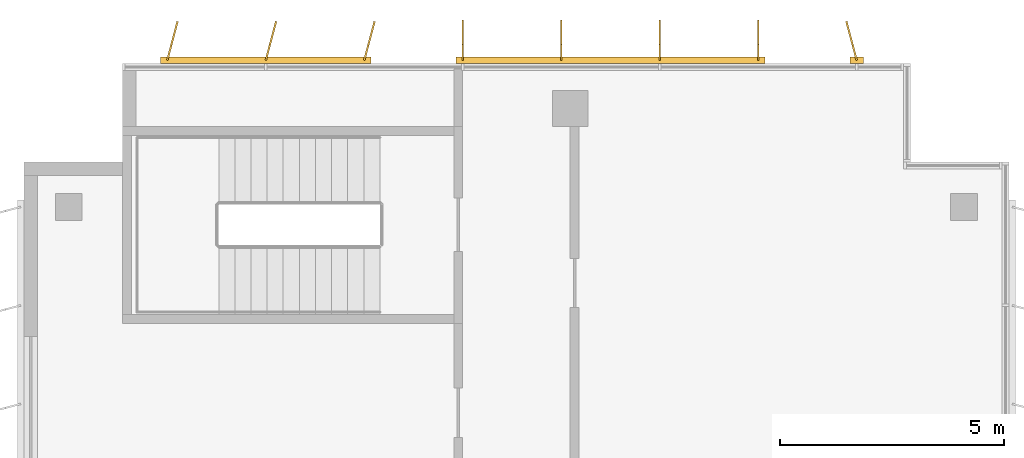
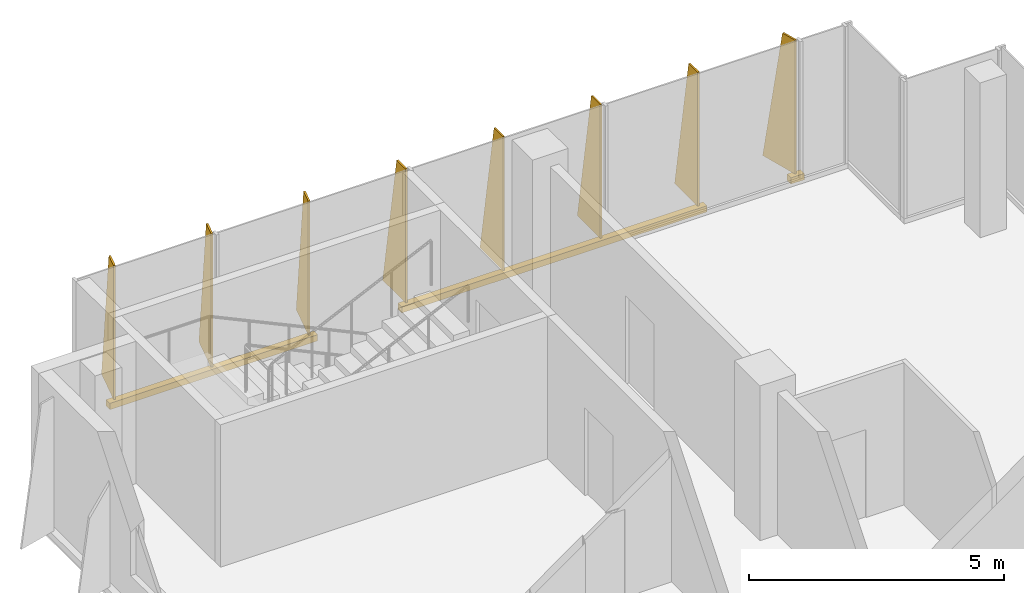
# One storey, part 16 of 16: 3 shading devices.
"""IFC4 building model written with IfcOpenShell, lengths in metres."""

import ifcopenshell
import ifcopenshell.guid

model = None  # the IFC model being written
_history = None  # IfcOwnerHistory: only IFC2X3 demands one
_inside = {}  # id of a spatial element -> (the spatial element, [elements in it])
_under = {}  # id of a project, library or spatial element -> (it, [spatial elements below it])
_declared = {}  # id of a project -> (the project, [libraries it declares])
_typed = {}  # id of a type object -> (the type object, [elements of that type])
_made_of = {}  # id of a material, layer set ... -> (it, [elements and type objects made of it])


def new_model(schema):
    """Start an empty IFC model of exactly this schema.

    Asked for "IFC4X3", IfcOpenShell would pick the latest addendum, in which some entities
    have other attributes; the version numbers below select the first issue.
    IFC2X3 requires an IfcOwnerHistory on every rooted entity: one is made here for all.
    """
    global model, _history
    if schema == "IFC4X3":
        model = ifcopenshell.file(schema_version=(4, 3, 0, 0))
    else:
        model = ifcopenshell.file(schema=schema)
    _inside.clear()
    _under.clear()
    _declared.clear()
    _typed.clear()
    _made_of.clear()
    _history = None
    if model.schema == "IFC2X3":
        org = make("IfcOrganization", Name="unknown")
        user = make(
            "IfcPersonAndOrganization",
            ThePerson=make("IfcPerson", FamilyName="unknown"),
            TheOrganization=org,
        )
        app = make(
            "IfcApplication",
            ApplicationDeveloper=org,
            Version="unknown",
            ApplicationFullName="unknown",
            ApplicationIdentifier="unknown",
        )
        _history = make(
            "IfcOwnerHistory",
            OwningUser=user,
            OwningApplication=app,
            ChangeAction="ADDED",
            CreationDate=0,
        )
    return model


def make(cls, **values):
    """One entity of the class cls with the attributes given. An attribute that is None is left unset."""
    return model.create_entity(
        cls, **{name: value for name, value in values.items() if value is not None}
    )


def rooted(cls, **values):
    """An entity with a GlobalId (a new one), such as an element, a storey or a relation."""
    return make(cls, GlobalId=ifcopenshell.guid.new(), OwnerHistory=_history, **values)


def si_unit(unit_type, name, prefix=None):
    """IfcSIUnit, for example si_unit("LENGTHUNIT", "METRE", prefix="MILLI")."""
    return make("IfcSIUnit", UnitType=unit_type, Prefix=prefix, Name=name)


def assignment(units):
    """IfcUnitAssignment: the units of a project."""
    return None if units is None else make("IfcUnitAssignment", Units=units)


def point(xyz):
    """IfcCartesianPoint."""
    return None if xyz is None else make("IfcCartesianPoint", Coordinates=xyz)


def direction(xyz):
    """IfcDirection."""
    return None if xyz is None else make("IfcDirection", DirectionRatios=xyz)


def frame(location, z_axis=None, x_axis=None):
    """IfcAxis2Placement3D, a coordinate frame: its origin and axes. An axis left out is left unset."""
    return make(
        "IfcAxis2Placement3D",
        Location=point(location),
        Axis=direction(z_axis),
        RefDirection=direction(x_axis),
    )


def frame_2d(location, x_axis=None):
    """IfcAxis2Placement2D, a coordinate frame in the plane: its origin and x axis."""
    return make(
        "IfcAxis2Placement2D", Location=point(location), RefDirection=direction(x_axis)
    )


def origin():
    """The frame at (0, 0, 0) with its axes left unset."""
    return frame((0.0, 0.0, 0.0))


def origin_2d():
    """The frame at (0, 0) in the plane with its x axis left unset."""
    return frame_2d((0.0, 0.0))


def place(relative_to, where):
    """IfcLocalPlacement: puts the frame where relative to a parent placement (None: the world)."""
    return make(
        "IfcLocalPlacement", PlacementRelTo=relative_to, RelativePlacement=where
    )


def context(
    kind, dimensions, precision=None, world=None, true_north=None, identifier=None
):
    """IfcGeometricRepresentationContext, for example the 3D "Model" context."""
    return make(
        "IfcGeometricRepresentationContext",
        ContextIdentifier=identifier,
        ContextType=kind,
        CoordinateSpaceDimension=dimensions,
        Precision=precision,
        WorldCoordinateSystem=world,
        TrueNorth=true_north,
    )


def subcontext(parent, identifier, kind, view, scale=None):
    """IfcGeometricRepresentationSubContext, for example "Body" below "Model"."""
    return make(
        "IfcGeometricRepresentationSubContext",
        ContextIdentifier=identifier,
        ContextType=kind,
        ParentContext=parent,
        TargetScale=scale,
        TargetView=view,
    )


def project(units=None, contexts=None):
    """IfcProject with its units and contexts."""
    return rooted(
        "IfcProject",
        Name="project",
        RepresentationContexts=contexts,
        UnitsInContext=assignment(units),
    )


def spatial(cls, under=None, at=None, **own):
    """A site, building, storey or space (cls), placed at a placement, below another one or the project."""
    s = rooted(cls, ObjectPlacement=at, **own)
    if under is not None:
        _under.setdefault(under.id(), (under, []))[1].append(s)
    return s


def polyline(points):
    """IfcPolyline through the points."""
    return make("IfcPolyline", Points=[point(p) for p in points])


def profile(cls, at=None, kind="AREA", **sizes):
    """A parametric profile (cls). Its sizes go by their IFC names, for example OverallWidth=200.0."""
    return make(cls, ProfileType=kind, Position=at, **sizes)


def rectangle(**sizes):
    """IfcRectangleProfileDef."""
    return profile("IfcRectangleProfileDef", **sizes)


def outline(outer, holes=None, kind="AREA"):
    """IfcArbitraryClosedProfileDef: a profile drawn as a closed curve; with holes, ...WithVoids."""
    if holes is None:
        return make("IfcArbitraryClosedProfileDef", ProfileType=kind, OuterCurve=outer)
    return make(
        "IfcArbitraryProfileDefWithVoids",
        ProfileType=kind,
        OuterCurve=outer,
        InnerCurves=holes,
    )


def extrude(swept, where, along, depth):
    """IfcExtrudedAreaSolid: the profile swept, set in the frame where, extruded along a direction by depth."""
    return make(
        "IfcExtrudedAreaSolid",
        SweptArea=swept,
        Position=where,
        ExtrudedDirection=direction(along),
        Depth=depth,
    )


def shape(context_of_items, identifier, shape_type, items):
    """IfcShapeRepresentation: the items that make up one representation, for example the "Body"."""
    return make(
        "IfcShapeRepresentation",
        ContextOfItems=context_of_items,
        RepresentationIdentifier=identifier,
        RepresentationType=shape_type,
        Items=items,
    )


def source(mapping_origin, context_of_items, identifier, shape_type, items):
    """IfcRepresentationMap: a shape defined once, which mapped items show again and again."""
    return make(
        "IfcRepresentationMap",
        MappingOrigin=mapping_origin,
        MappedRepresentation=shape(context_of_items, identifier, shape_type, items),
    )


def transform(
    local_origin,
    x_axis=None,
    y_axis=None,
    z_axis=None,
    scale=None,
    scale2=None,
    scale3=None,
    uniform=True,
):
    """IfcCartesianTransformationOperator3D, or its non-uniform kind. x_axis, y_axis, z_axis: its Axis1, 2, 3."""
    if uniform:
        return make(
            "IfcCartesianTransformationOperator3D",
            Axis1=direction(x_axis),
            Axis2=direction(y_axis),
            LocalOrigin=point(local_origin),
            Scale=scale,
            Axis3=direction(z_axis),
        )
    return make(
        "IfcCartesianTransformationOperator3DnonUniform",
        Axis1=direction(x_axis),
        Axis2=direction(y_axis),
        LocalOrigin=point(local_origin),
        Scale=scale,
        Axis3=direction(z_axis),
        Scale2=scale2,
        Scale3=scale3,
    )


def mapped(mapping_source, mapping_target):
    """IfcMappedItem: shows the shape of a source again, moved by a transform."""
    return make(
        "IfcMappedItem", MappingSource=mapping_source, MappingTarget=mapping_target
    )


def material(Name=None, Category=None):
    """IfcMaterial."""
    return make("IfcMaterial", Name=Name, Category=Category)


def layer(
    of_material, thickness, ventilated=None, Name=None, Category=None, Priority=None
):
    """IfcMaterialLayer: one layer of a wall or slab, of a material (None: an air gap)."""
    return make(
        "IfcMaterialLayer",
        Material=of_material,
        LayerThickness=thickness,
        IsVentilated=ventilated,
        Name=Name,
        Category=Category,
        Priority=Priority,
    )


def layer_set(layers, Name=None):
    """IfcMaterialLayerSet."""
    return make("IfcMaterialLayerSet", MaterialLayers=layers, LayerSetName=Name)


def made_of(thing, what):
    """Note that an element or type object is made of a material, layer set ...; save() writes the relation."""
    if what is not None:
        _made_of.setdefault(what.id(), (what, []))[1].append(thing)
    return thing


def type_object(cls, material=None, **own):
    """A type object (cls), such as IfcWallType, which elements share."""
    return made_of(rooted(cls, **own), material)


def element(
    cls,
    number,
    at=None,
    inside=None,
    cuts=None,
    type_object=None,
    material=None,
    context=None,
    identifier="Body",
    shape_type=None,
    held_by="IfcProductDefinitionShape",
    body=None,
    shapes=None,
    **own,
):
    """One element of the class cls, such as IfcWall. Its Tag is "e" and its number.

    at: its placement. inside: the storey or other place that contains it. cuts: it is an
    opening in that element (IfcRelVoidsElement). A single representation is given by context,
    identifier, shape_type and body (its items); several are given by shapes. held_by: the class
    of the entity that holds the representations. save() writes the other relations.
    """
    e = rooted(cls, Tag="e%d" % number, ObjectPlacement=at, **own)
    if body is not None:
        shapes = [shape(context, identifier, shape_type, body)]
    if shapes is not None:
        e.Representation = make(held_by, Representations=shapes)
    if inside is not None:
        _inside.setdefault(inside.id(), (inside, []))[1].append(e)
    if cuts is not None:
        rooted(
            "IfcRelVoidsElement", RelatingBuildingElement=cuts, RelatedOpeningElement=e
        )
    if type_object is not None:
        _typed.setdefault(type_object.id(), (type_object, []))[1].append(e)
    return made_of(e, material)


def aggregate(whole, parts):
    """IfcRelAggregates: a whole, such as a stair, and the parts it consists of."""
    return rooted("IfcRelAggregates", RelatingObject=whole, RelatedObjects=parts)


def save(model, path):
    """Write the relations noted so far, then the file.

    IfcRelAggregates (storeys below a building ...), IfcRelContainedInSpatialStructure (elements
    in a storey), IfcRelDefinesByType, IfcRelAssociatesMaterial and IfcRelDeclares: one each for
    every whole, place, type object, material and project.
    """
    for whole, parts in _under.values():
        aggregate(whole, parts)
    for where, things in _inside.values():
        rooted(
            "IfcRelContainedInSpatialStructure",
            RelatedElements=things,
            RelatingStructure=where,
        )
    for kind, things in _typed.values():
        rooted("IfcRelDefinesByType", RelatedObjects=things, RelatingType=kind)
    for what, things in _made_of.values():
        rooted("IfcRelAssociatesMaterial", RelatedObjects=things, RelatingMaterial=what)
    for by, libraries in _declared.values():
        rooted("IfcRelDeclares", RelatingContext=by, RelatedDefinitions=libraries)
    model.write(path)


model = new_model("IFC4")

# Units and contexts
model_context = context("Model", 3, precision=1e-05, world=origin(), true_north=direction((0.0, 1.0)))
body_context = subcontext(model_context, "Body", "Model", "MODEL_VIEW")
ifc_project = project(units=[si_unit("LENGTHUNIT", "METRE"), si_unit("AREAUNIT", "SQUARE_METRE"), si_unit("VOLUMEUNIT", "CUBIC_METRE"), si_unit("PLANEANGLEUNIT", "RADIAN"), si_unit("MASSUNIT", "GRAM", prefix="KILO")], contexts=[model_context])

# Site, building, storey
site_placement = place(None, origin())
site = spatial("IfcSite", under=ifc_project, at=site_placement, CompositionType="ELEMENT")
building_placement = place(site_placement, origin())
building = spatial("IfcBuilding", under=site, at=building_placement, Name="Kemantara Hotel Tower", CompositionType="ELEMENT")
storey_placement = place(building_placement, frame((0.0, 0.0, 272.199951171875)))
storey = spatial("IfcBuildingStorey", under=building, at=storey_placement, Name="L68", CompositionType="ELEMENT", Elevation=272.199951171875)

# Shading devices
ifc_material = material(Name="Perforated aluminium plate 4 mm bronze anodised", Category="aluminium")
ifc_layer_1 = layer(ifc_material, 0.0400390625)
ifc_layer_set_1 = layer_set([ifc_layer_1], Name="Perforated aluminium plate 4 mm bronze anodised")
shading_device_type_1 = type_object("IfcShadingDeviceType", Name="SCREEN FIN CASSETTE, 3 BLADES AT -15.0 DEG, 3200 HIGH", PredefinedType="USERDEFINED", material=ifc_layer_set_1)
shared_shape_1 = source(origin(), body_context, "Body", "SweptSolid", [
    extrude(rectangle(XDim=4.699951171875, YDim=0.14990234375, at=origin_2d()), frame((2.199951171875, -0.074951171875, -0.14990234375), z_axis=(0.0, 0.0, 1.0), x_axis=(1.0, 0.0, 0.0)), (0.0, 0.0, 1.0), 0.14990234375),
    extrude(outline(polyline([(0.0, 0.0), (0.89990234375, 0.0), (0.35009765625, 3.199951171875), (0.0, 3.199951171875), (0.0, 0.0)])), frame((0.019287109375, -0.080078125, 0.0), z_axis=(-0.966437683387, 0.256901156343, 0.0), x_axis=(-0.256901156343, -0.966437683387, 0.0)), (0.0, 0.0, 1.0), 0.039794921875),
    extrude(outline(polyline([(0.0, 0.0), (0.89990234375, 0.0), (0.35009765625, 3.199951171875), (0.0, 3.199951171875), (0.0, 0.0)])), frame((2.21923828125, -0.080078125, 0.0), z_axis=(-0.966437683387, 0.256901156343, 0.0), x_axis=(-0.256901156343, -0.966437683387, 0.0)), (0.0, 0.0, 1.0), 0.039794921875),
    extrude(outline(polyline([(0.0, 0.0), (0.89990234375, 0.0), (0.35009765625, 3.199951171875), (0.0, 3.199951171875), (0.0, 0.0)])), frame((4.41943359375, -0.080078125, 0.0), z_axis=(-0.966837822169, 0.255391122837, 0.0), x_axis=(-0.255391122837, -0.966837822169, 0.0)), (0.0, 0.0, 1.0), 0.0400390625),
])
shading_device_1_placement = place(storey_placement, frame((7.60009765625, 63.60009765625, 0.10009765625), z_axis=(0.0, 0.0, 1.0), x_axis=(-1.0, 0.0, 0.0)))
element("IfcShadingDevice", 1, at=shading_device_1_placement, inside=storey, type_object=shading_device_type_1, Name="SCREEN FIN CASSETTE L68 T4-R02-3", ObjectType="SCREEN FIN", PredefinedType="USERDEFINED", context=body_context, shape_type="MappedRepresentation", body=[
    mapped(shared_shape_1, transform((0.0, 0.0, 0.0))),
])
ifc_layer_2 = layer(ifc_material, 0.0400390625)
ifc_layer_set_2 = layer_set([ifc_layer_2], Name="Perforated aluminium plate 4 mm bronze anodised")
shading_device_type_2 = type_object("IfcShadingDeviceType", Name="SCREEN FIN CASSETTE, 4 BLADES AT +0.0 DEG, 3200 HIGH", PredefinedType="USERDEFINED", material=ifc_layer_set_2)
shared_shape_2 = source(origin(), body_context, "Body", "SweptSolid", [
    extrude(rectangle(XDim=6.89990234375, YDim=0.14990234375, at=origin_2d()), frame((3.300048828125, -0.074951171875, -0.14990234375), z_axis=(0.0, 0.0, 1.0), x_axis=(1.0, 0.0, 0.0)), (0.0, 0.0, 1.0), 0.14990234375),
    extrude(outline(polyline([(0.0, 0.0), (0.89990234375, 0.0), (0.35009765625, 3.199951171875), (0.0, 3.199951171875), (0.0, 0.0)])), frame((0.02001953125, -0.074951171875, 0.0), z_axis=(-1.0, 0.0, 0.0), x_axis=(0.0, -1.0, 0.0)), (0.0, 0.0, 1.0), 0.0400390625),
    extrude(outline(polyline([(0.0, 0.0), (0.89990234375, 0.0), (0.35009765625, 3.199951171875), (0.0, 3.199951171875), (0.0, 0.0)])), frame((2.219970703125, -0.074951171875, 0.0), z_axis=(-1.0, 0.0, 0.0), x_axis=(0.0, -1.0, 0.0)), (0.0, 0.0, 1.0), 0.0400390625),
    extrude(outline(polyline([(0.0, 0.0), (0.89990234375, 0.0), (0.35009765625, 3.199951171875), (0.0, 3.199951171875), (0.0, 0.0)])), frame((4.419921875, -0.074951171875, 0.0), z_axis=(-1.0, 0.0, 0.0), x_axis=(0.0, -1.0, 0.0)), (0.0, 0.0, 1.0), 0.0400390625),
    extrude(outline(polyline([(0.0, 0.0), (0.89990234375, 0.0), (0.35009765625, 3.199951171875), (0.0, 3.199951171875), (0.0, 0.0)])), frame((6.6201171875, -0.074951171875, 0.0), z_axis=(-1.0, 0.0, 0.0), x_axis=(0.0, -1.0, 0.0)), (0.0, 0.0, 1.0), 0.0400390625),
])
shading_device_2_placement = place(storey_placement, frame((16.39990234375, 63.60009765625, 0.10009765625), z_axis=(0.0, 0.0, 1.0), x_axis=(-1.0, 0.0, 0.0)))
element("IfcShadingDevice", 2, at=shading_device_2_placement, inside=storey, type_object=shading_device_type_2, Name="SCREEN FIN CASSETTE L68 T4-R02-2", ObjectType="SCREEN FIN", PredefinedType="USERDEFINED", context=body_context, shape_type="MappedRepresentation", body=[
    mapped(shared_shape_2, transform((0.0, 0.0, 0.0))),
])
ifc_layer_3 = layer(ifc_material, 0.0400390625)
ifc_layer_set_3 = layer_set([ifc_layer_3], Name="Perforated aluminium plate 4 mm bronze anodised")
shading_device_type_3 = type_object("IfcShadingDeviceType", Name="SCREEN FIN CASSETTE, 1 BLADE AT +15.0 DEG, 3200 HIGH", PredefinedType="USERDEFINED", material=ifc_layer_set_3)
shared_shape_3 = source(origin(), body_context, "Body", "SweptSolid", [
    extrude(rectangle(XDim=0.300048828125, YDim=0.14990234375, at=origin_2d()), frame((0.0, -0.074951171875, -0.14990234375), z_axis=(0.0, 0.0, 1.0), x_axis=(1.0, 0.0, 0.0)), (0.0, 0.0, 1.0), 0.14990234375),
    extrude(outline(polyline([(0.0, 0.0), (0.89990234375, 0.0), (0.35009765625, 3.199951171875), (0.0, 3.199951171875), (0.0, 0.0)])), frame((0.019287109375, -0.06982421875, 0.0), z_axis=(-0.966437683387, -0.256901156343, 0.0), x_axis=(0.256901156343, -0.966437683387, 0.0)), (0.0, 0.0, 1.0), 0.039794921875),
])
shading_device_3_placement = place(storey_placement, frame((18.60009765625, 63.60009765625, 0.10009765625), z_axis=(0.0, 0.0, 1.0), x_axis=(-1.0, 0.0, 0.0)))
element("IfcShadingDevice", 3, at=shading_device_3_placement, inside=storey, type_object=shading_device_type_3, Name="SCREEN FIN CASSETTE L68 T4-R02-1", ObjectType="SCREEN FIN", PredefinedType="USERDEFINED", context=body_context, shape_type="MappedRepresentation", body=[
    mapped(shared_shape_3, transform((0.0, 0.0, 0.0))),
])

save(model, "model.ifc")
